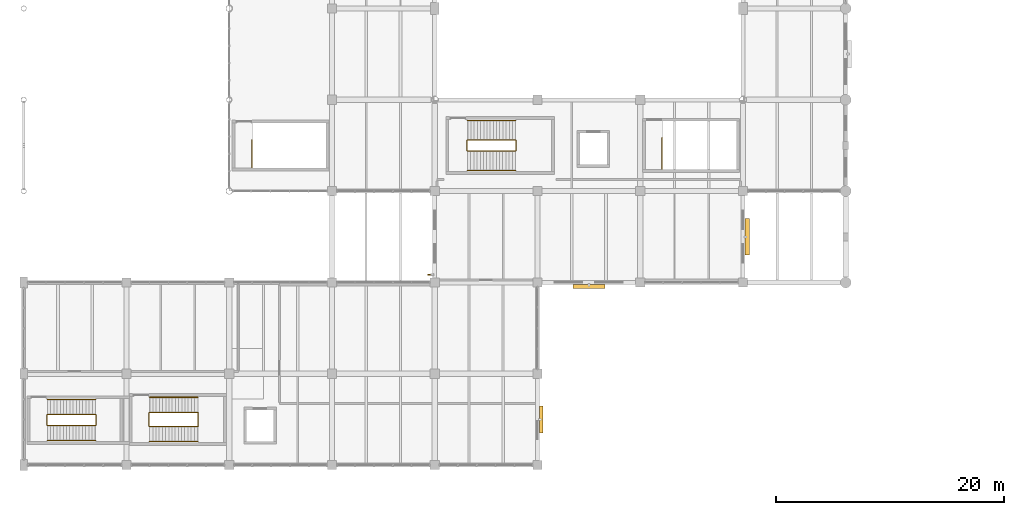
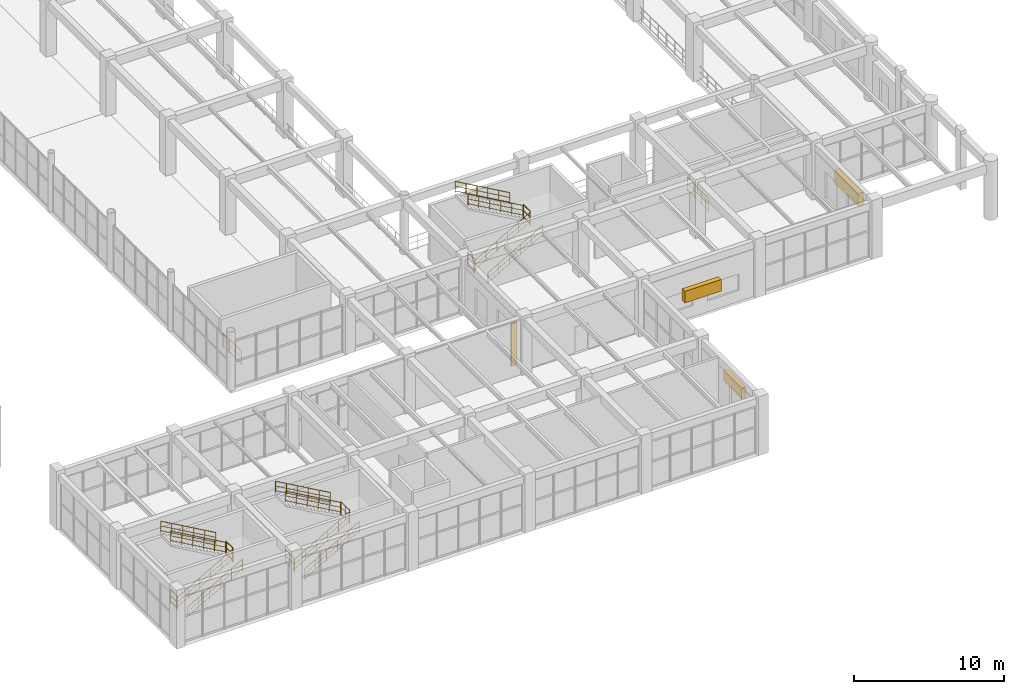
# One storey, part 169 of 178: 20 railings, 4 shading devices.
"""IFC4 building model written with IfcOpenShell, lengths in metres."""

from ifc_helpers import new_model, si_unit, derived_unit, direction, frame, origin, origin_2d, place, context, subcontext, project, spatial, rectangle, circle, extrude, material, type_object, element, save


model = new_model("IFC4")

# Units and contexts
model_context = context("Model", 3, precision=1e-05, world=origin(), true_north=direction((0.0, 1.0)))
body_context = subcontext(model_context, "Body", "Model", "MODEL_VIEW")
ifc_project = project(units=[si_unit("LENGTHUNIT", "METRE"), si_unit("AREAUNIT", "SQUARE_METRE"), si_unit("VOLUMEUNIT", "CUBIC_METRE"), si_unit("PLANEANGLEUNIT", "RADIAN"), si_unit("MASSUNIT", "GRAM", prefix="KILO"), derived_unit("THERMALTRANSMITTANCEUNIT", [(si_unit("MASSUNIT", "GRAM", prefix="KILO"), 1), (si_unit("TIMEUNIT", "SECOND"), -3), (si_unit("THERMODYNAMICTEMPERATUREUNIT", "KELVIN"), -1)])], contexts=[model_context])

# Site, building, storey
site_placement = place(None, origin())
site = spatial("IfcSite", under=ifc_project, at=site_placement, CompositionType="ELEMENT")
building_placement = place(site_placement, origin())
building = spatial("IfcBuilding", under=site, at=building_placement, Name="Zhenchuan Archway Interchange", CompositionType="ELEMENT")
storey_placement = place(building_placement, frame((0.0, 0.0, 5.39990234375)))
storey = spatial("IfcBuildingStorey", under=building, at=storey_placement, Name="L01", CompositionType="ELEMENT", Elevation=5.39990234375)

# Railings
ifc_material_1 = material(Name="Painted Galvanised Steel", Category="steel")
railing_type_1 = type_object("IfcRailingType", Name="RL_GUARD_1150", PredefinedType="GUARDRAIL", material=ifc_material_1)
for number, where, name in (
    (1, (43.135009765625, 27.56494140625, 2.400146484375), "Stair ST-M1 half-landing slot guard (L01)"),
    (2, (38.8349609375, 27.56494140625, 0.0), "Stair ST-M1 floor well guard (L01)"),
):
    element("IfcRailing", number, at=place(storey_placement, frame(where)), inside=storey, type_object=railing_type_1, Name=name, PredefinedType="GUARDRAIL", context=body_context, shape_type="SweptSolid", body=[
        extrude(circle(Radius=0.02392578125, at=origin_2d()), frame((0.0, 0.0, 1.1259765625), z_axis=(0.0, 1.0, 0.0), x_axis=(-1.0, 0.0, 0.0)), (0.0, 0.0, 1.0), 0.8701171875),
        extrude(circle(Radius=0.01611328125, at=origin_2d()), frame((0.0, 0.0, 0.63232421875), z_axis=(0.0, 1.0, 0.0), x_axis=(-1.0, 0.0, 0.0)), (0.0, 0.0, 1.0), 0.8701171875),
        extrude(circle(Radius=0.01611328125, at=origin_2d()), frame((0.0, 0.0, 0.1201171875), z_axis=(0.0, 1.0, 0.0), x_axis=(-1.0, 0.0, 0.0)), (0.0, 0.0, 1.0), 0.8701171875),
        extrude(circle(Radius=0.02099609375, at=origin_2d()), origin(), (0.0, 0.0, 1.0), 1.1259765625),
        extrude(circle(Radius=0.02099609375, at=origin_2d()), frame((0.0, 0.8701171875, 0.0)), (0.0, 0.0, 1.0), 1.1259765625),
    ])
railing_1_placement = place(storey_placement, frame((55.925048828125, 25.9150390625, 0.0)))
element("IfcRailing", 3, at=railing_1_placement, inside=storey, type_object=railing_type_1, Name="Stair ST-M3 top landing guard (L01)", PredefinedType="GUARDRAIL", context=body_context, shape_type="SweptSolid", body=[
    extrude(circle(Radius=0.02392578125, at=origin_2d()), frame((0.0, 0.0, 1.1259765625), z_axis=(0.0, 1.0, 0.0), x_axis=(-1.0, 0.0, 0.0)), (0.0, 0.0, 1.0), 2.77001953125),
    extrude(circle(Radius=0.01611328125, at=origin_2d()), frame((0.0, 0.0, 0.63232421875), z_axis=(0.0, 1.0, 0.0), x_axis=(-1.0, 0.0, 0.0)), (0.0, 0.0, 1.0), 2.77001953125),
    extrude(circle(Radius=0.01611328125, at=origin_2d()), frame((0.0, 0.0, 0.1201171875), z_axis=(0.0, 1.0, 0.0), x_axis=(-1.0, 0.0, 0.0)), (0.0, 0.0, 1.0), 2.77001953125),
    extrude(circle(Radius=0.02099609375, at=origin_2d()), origin(), (0.0, 0.0, 1.0), 1.1259765625),
    extrude(circle(Radius=0.02099609375, at=origin_2d()), frame((0.0, 0.92333984375, 0.0)), (0.0, 0.0, 1.0), 1.1259765625),
    extrude(circle(Radius=0.02099609375, at=origin_2d()), frame((0.0, 1.8466796875, 0.0)), (0.0, 0.0, 1.0), 1.1259765625),
    extrude(circle(Radius=0.02099609375, at=origin_2d()), frame((0.0, 2.77001953125, 0.0)), (0.0, 0.0, 1.0), 1.1259765625),
])
railing_2_placement = place(storey_placement, frame((19.985107421875, 26.06494140625, 0.0)))
element("IfcRailing", 4, at=railing_2_placement, inside=storey, type_object=railing_type_1, Name="Stair ST-B1 top landing guard (L01)", PredefinedType="GUARDRAIL", context=body_context, shape_type="SweptSolid", body=[
    extrude(circle(Radius=0.02392578125, at=origin_2d()), frame((0.0, 0.0, 1.1259765625), z_axis=(0.0, 1.0, 0.0), x_axis=(-1.0, 0.0, 0.0)), (0.0, 0.0, 1.0), 2.420166015625),
    extrude(circle(Radius=0.01611328125, at=origin_2d()), frame((0.0, 0.0, 0.63232421875), z_axis=(0.0, 1.0, 0.0), x_axis=(-1.0, 0.0, 0.0)), (0.0, 0.0, 1.0), 2.420166015625),
    extrude(circle(Radius=0.01611328125, at=origin_2d()), frame((0.0, 0.0, 0.1201171875), z_axis=(0.0, 1.0, 0.0), x_axis=(-1.0, 0.0, 0.0)), (0.0, 0.0, 1.0), 2.420166015625),
    extrude(circle(Radius=0.02099609375, at=origin_2d()), origin(), (0.0, 0.0, 1.0), 1.1259765625),
    extrude(circle(Radius=0.02099609375, at=origin_2d()), frame((0.0, 0.806640625, 0.0)), (0.0, 0.0, 1.0), 1.1259765625),
    extrude(circle(Radius=0.02099609375, at=origin_2d()), frame((0.0, 1.613525390625, 0.0)), (0.0, 0.0, 1.0), 1.1259765625),
    extrude(circle(Radius=0.02099609375, at=origin_2d()), frame((0.0, 2.420166015625, 0.0)), (0.0, 0.0, 1.0), 1.1259765625),
])
for number, where, name in (
    (5, (15.284912109375, 3.4150390625, 2.400146484375), "Stair ST-C1 half-landing slot guard (L01)"),
    (6, (10.985107421875, 3.4150390625, 0.0), "Stair ST-C1 floor well guard (L01)"),
):
    element("IfcRailing", number, at=place(storey_placement, frame(where)), inside=storey, type_object=railing_type_1, Name=name, PredefinedType="GUARDRAIL", context=body_context, shape_type="SweptSolid", body=[
        extrude(circle(Radius=0.02392578125, at=origin_2d()), frame((0.0, 0.0, 1.1259765625), z_axis=(0.0, 1.0, 0.0), x_axis=(-1.0, 0.0, 0.0)), (0.0, 0.0, 1.0), 1.169921875),
        extrude(circle(Radius=0.01611328125, at=origin_2d()), frame((0.0, 0.0, 0.63232421875), z_axis=(0.0, 1.0, 0.0), x_axis=(-1.0, 0.0, 0.0)), (0.0, 0.0, 1.0), 1.169921875),
        extrude(circle(Radius=0.01611328125, at=origin_2d()), frame((0.0, 0.0, 0.1201171875), z_axis=(0.0, 1.0, 0.0), x_axis=(-1.0, 0.0, 0.0)), (0.0, 0.0, 1.0), 1.169921875),
        extrude(circle(Radius=0.02099609375, at=origin_2d()), origin(), (0.0, 0.0, 1.0), 1.1259765625),
        extrude(circle(Radius=0.02099609375, at=origin_2d()), frame((0.0, 0.5849609375, 0.0)), (0.0, 0.0, 1.0), 1.1259765625),
        extrude(circle(Radius=0.02099609375, at=origin_2d()), frame((0.0, 1.169921875, 0.0)), (0.0, 0.0, 1.0), 1.1259765625),
    ])
for number, where, name in (
    (7, (6.324951171875, 3.514892578125, 2.400146484375), "Stair ST-C2 half-landing slot guard (L01)"),
    (8, (2.02490234375, 3.514892578125, 0.0), "Stair ST-C2 floor well guard (L01)"),
):
    element("IfcRailing", number, at=place(storey_placement, frame(where)), inside=storey, type_object=railing_type_1, Name=name, PredefinedType="GUARDRAIL", context=body_context, shape_type="SweptSolid", body=[
        extrude(circle(Radius=0.02392578125, at=origin_2d()), frame((0.0, 0.0, 1.1259765625), z_axis=(0.0, 1.0, 0.0), x_axis=(-1.0, 0.0, 0.0)), (0.0, 0.0, 1.0), 0.8701171875),
        extrude(circle(Radius=0.01611328125, at=origin_2d()), frame((0.0, 0.0, 0.63232421875), z_axis=(0.0, 1.0, 0.0), x_axis=(-1.0, 0.0, 0.0)), (0.0, 0.0, 1.0), 0.8701171875),
        extrude(circle(Radius=0.01611328125, at=origin_2d()), frame((0.0, 0.0, 0.1201171875), z_axis=(0.0, 1.0, 0.0), x_axis=(-1.0, 0.0, 0.0)), (0.0, 0.0, 1.0), 0.8701171875),
        extrude(circle(Radius=0.02099609375, at=origin_2d()), origin(), (0.0, 0.0, 1.0), 1.1259765625),
        extrude(circle(Radius=0.02099609375, at=origin_2d()), frame((0.0, 0.8701171875, 0.0)), (0.0, 0.0, 1.0), 1.1259765625),
    ])
ifc_material_2 = material(Name="Stainless Steel 304", Category="steel")
railing_type_2 = type_object("IfcRailingType", Name="RL_HAND_920", PredefinedType="HANDRAIL", material=ifc_material_2)
for number, where, name in (
    (9, (38.875, 25.804931640625, 0.150146484375), "Stair ST-M1 handrail 1 (L01)"),
    (10, (38.875, 27.52490234375, 0.150146484375), "Stair ST-M1 handrail 2 (L01)"),
):
    element("IfcRailing", number, at=place(storey_placement, frame(where)), inside=storey, type_object=railing_type_2, Name=name, PredefinedType="HANDRAIL", context=body_context, shape_type="SweptSolid", body=[
        extrude(circle(Radius=0.02392578125, at=origin_2d()), frame((0.0, 0.0, 0.89599609375), z_axis=(0.869262576428, 0.0, 0.494350658159), x_axis=(0.0, 1.0, 0.0)), (0.0, 0.0, 1.0), 4.854736328125),
        extrude(circle(Radius=0.01611328125, at=origin_2d()), frame((0.0, 0.0, 0.505859375), z_axis=(0.869262576428, 0.0, 0.494350658159), x_axis=(0.0, 1.0, 0.0)), (0.0, 0.0, 1.0), 4.854736328125),
        extrude(circle(Radius=0.01611328125, at=origin_2d()), frame((0.0, 0.0, 0.1201171875), z_axis=(0.869262576428, 0.0, 0.494350658159), x_axis=(0.0, 1.0, 0.0)), (0.0, 0.0, 1.0), 4.854736328125),
        extrude(circle(Radius=0.02099609375, at=origin_2d()), origin(), (0.0, 0.0, 1.0), 0.89599609375),
        extrude(circle(Radius=0.02099609375, at=origin_2d()), frame((0.843994140625, 0.0, 0.47998046875)), (0.0, 0.0, 1.0), 0.89599609375),
        extrude(circle(Radius=0.02099609375, at=origin_2d()), frame((1.68798828125, 0.0, 0.9599609375)), (0.0, 0.0, 1.0), 0.89599609375),
        extrude(circle(Radius=0.02099609375, at=origin_2d()), frame((2.531982421875, 0.0, 1.43994140625)), (0.0, 0.0, 1.0), 0.89599609375),
        extrude(circle(Radius=0.02099609375, at=origin_2d()), frame((3.3759765625, 0.0, 1.919921875)), (0.0, 0.0, 1.0), 0.89599609375),
        extrude(circle(Radius=0.02099609375, at=origin_2d()), frame((4.219970703125, 0.0, 2.39990234375)), (0.0, 0.0, 1.0), 0.89599609375),
    ])
for number, where, name in (
    (11, (43.094970703125, 28.47509765625, 2.550048828125), "Stair ST-M1 handrail 3 (L01)"),
    (12, (43.094970703125, 30.195068359375, 2.550048828125), "Stair ST-M1 handrail 4 (L01)"),
):
    element("IfcRailing", number, at=place(storey_placement, frame(where)), inside=storey, type_object=railing_type_2, Name=name, PredefinedType="HANDRAIL", context=body_context, shape_type="SweptSolid", body=[
        extrude(circle(Radius=0.02392578125, at=origin_2d()), frame((0.0, 0.0, 0.89599609375), z_axis=(-0.869240965491, 0.0, 0.494388656739), x_axis=(0.0, -1.0, 0.0)), (0.0, 0.0, 1.0), 4.854736328125),
        extrude(circle(Radius=0.01611328125, at=origin_2d()), frame((0.0, 0.0, 0.505859375), z_axis=(-0.869240965491, 0.0, 0.494388656739), x_axis=(0.0, -1.0, 0.0)), (0.0, 0.0, 1.0), 4.854736328125),
        extrude(circle(Radius=0.01611328125, at=origin_2d()), frame((0.0, 0.0, 0.1201171875), z_axis=(-0.869240965491, 0.0, 0.494388656739), x_axis=(0.0, -1.0, 0.0)), (0.0, 0.0, 1.0), 4.854736328125),
        extrude(circle(Radius=0.02099609375, at=origin_2d()), origin(), (0.0, 0.0, 1.0), 0.89599609375),
        extrude(circle(Radius=0.02099609375, at=origin_2d()), frame((-0.843994140625, 0.0, 0.47998046875)), (0.0, 0.0, 1.0), 0.89599609375),
        extrude(circle(Radius=0.02099609375, at=origin_2d()), frame((-1.68798828125, 0.0, 0.9599609375)), (0.0, 0.0, 1.0), 0.89599609375),
        extrude(circle(Radius=0.02099609375, at=origin_2d()), frame((-2.531982421875, 0.0, 1.440185546875)), (0.0, 0.0, 1.0), 0.89599609375),
        extrude(circle(Radius=0.02099609375, at=origin_2d()), frame((-3.3759765625, 0.0, 1.920166015625)), (0.0, 0.0, 1.0), 0.89599609375),
        extrude(circle(Radius=0.02099609375, at=origin_2d()), frame((-4.219970703125, 0.0, 2.400146484375)), (0.0, 0.0, 1.0), 0.89599609375),
    ])
for number, where, name in (
    (13, (11.02490234375, 2.054931640625, 0.150146484375), "Stair ST-C1 handrail 1 (L01)"),
    (14, (11.02490234375, 3.375, 0.150146484375), "Stair ST-C1 handrail 2 (L01)"),
):
    element("IfcRailing", number, at=place(storey_placement, frame(where)), inside=storey, type_object=railing_type_2, Name=name, PredefinedType="HANDRAIL", context=body_context, shape_type="SweptSolid", body=[
        extrude(circle(Radius=0.02392578125, at=origin_2d()), frame((0.0, 0.0, 0.89599609375), z_axis=(0.86927486562, 0.0, 0.494329048308), x_axis=(0.0, 1.0, 0.0)), (0.0, 0.0, 1.0), 4.85498046875),
        extrude(circle(Radius=0.01611328125, at=origin_2d()), frame((0.0, 0.0, 0.505859375), z_axis=(0.86927486562, 0.0, 0.494329048308), x_axis=(0.0, 1.0, 0.0)), (0.0, 0.0, 1.0), 4.85498046875),
        extrude(circle(Radius=0.01611328125, at=origin_2d()), frame((0.0, 0.0, 0.1201171875), z_axis=(0.86927486562, 0.0, 0.494329048308), x_axis=(0.0, 1.0, 0.0)), (0.0, 0.0, 1.0), 4.85498046875),
        extrude(circle(Radius=0.02099609375, at=origin_2d()), origin(), (0.0, 0.0, 1.0), 0.89599609375),
        extrude(circle(Radius=0.02099609375, at=origin_2d()), frame((0.843994140625, 0.0, 0.47998046875)), (0.0, 0.0, 1.0), 0.89599609375),
        extrude(circle(Radius=0.02099609375, at=origin_2d()), frame((1.68798828125, 0.0, 0.9599609375)), (0.0, 0.0, 1.0), 0.89599609375),
        extrude(circle(Radius=0.02099609375, at=origin_2d()), frame((2.5322265625, 0.0, 1.43994140625)), (0.0, 0.0, 1.0), 0.89599609375),
        extrude(circle(Radius=0.02099609375, at=origin_2d()), frame((3.376220703125, 0.0, 1.919921875)), (0.0, 0.0, 1.0), 0.89599609375),
        extrude(circle(Radius=0.02099609375, at=origin_2d()), frame((4.22021484375, 0.0, 2.39990234375)), (0.0, 0.0, 1.0), 0.89599609375),
    ])
for number, where, name in (
    (15, (15.2451171875, 4.625, 2.550048828125), "Stair ST-C1 handrail 3 (L01)"),
    (16, (15.2451171875, 5.945068359375, 2.550048828125), "Stair ST-C1 handrail 4 (L01)"),
):
    element("IfcRailing", number, at=place(storey_placement, frame(where)), inside=storey, type_object=railing_type_2, Name=name, PredefinedType="HANDRAIL", context=body_context, shape_type="SweptSolid", body=[
        extrude(circle(Radius=0.02392578125, at=origin_2d()), frame((0.0, 0.0, 0.89599609375), z_axis=(-0.869253256267, 0.0, 0.494367046301), x_axis=(0.0, -1.0, 0.0)), (0.0, 0.0, 1.0), 4.85498046875),
        extrude(circle(Radius=0.01611328125, at=origin_2d()), frame((0.0, 0.0, 0.505859375), z_axis=(-0.869253256267, 0.0, 0.494367046301), x_axis=(0.0, -1.0, 0.0)), (0.0, 0.0, 1.0), 4.85498046875),
        extrude(circle(Radius=0.01611328125, at=origin_2d()), frame((0.0, 0.0, 0.1201171875), z_axis=(-0.869253256267, 0.0, 0.494367046301), x_axis=(0.0, -1.0, 0.0)), (0.0, 0.0, 1.0), 4.85498046875),
        extrude(circle(Radius=0.02099609375, at=origin_2d()), origin(), (0.0, 0.0, 1.0), 0.89599609375),
        extrude(circle(Radius=0.02099609375, at=origin_2d()), frame((-0.843994140625, 0.0, 0.47998046875)), (0.0, 0.0, 1.0), 0.89599609375),
        extrude(circle(Radius=0.02099609375, at=origin_2d()), frame((-1.68798828125, 0.0, 0.9599609375)), (0.0, 0.0, 1.0), 0.89599609375),
        extrude(circle(Radius=0.02099609375, at=origin_2d()), frame((-2.5322265625, 0.0, 1.440185546875)), (0.0, 0.0, 1.0), 0.89599609375),
        extrude(circle(Radius=0.02099609375, at=origin_2d()), frame((-3.376220703125, 0.0, 1.920166015625)), (0.0, 0.0, 1.0), 0.89599609375),
        extrude(circle(Radius=0.02099609375, at=origin_2d()), frame((-4.22021484375, 0.0, 2.400146484375)), (0.0, 0.0, 1.0), 0.89599609375),
    ])
for number, where, name in (
    (17, (2.06494140625, 2.155029296875, 0.150146484375), "Stair ST-C2 handrail 1 (L01)"),
    (18, (2.06494140625, 3.47509765625, 0.150146484375), "Stair ST-C2 handrail 2 (L01)"),
):
    element("IfcRailing", number, at=place(storey_placement, frame(where)), inside=storey, type_object=railing_type_2, Name=name, PredefinedType="HANDRAIL", context=body_context, shape_type="SweptSolid", body=[
        extrude(circle(Radius=0.02392578125, at=origin_2d()), frame((0.0, 0.0, 0.89599609375), z_axis=(0.869262576428, 0.0, 0.494350658159), x_axis=(0.0, 1.0, 0.0)), (0.0, 0.0, 1.0), 4.854736328125),
        extrude(circle(Radius=0.01611328125, at=origin_2d()), frame((0.0, 0.0, 0.505859375), z_axis=(0.869262576428, 0.0, 0.494350658159), x_axis=(0.0, 1.0, 0.0)), (0.0, 0.0, 1.0), 4.854736328125),
        extrude(circle(Radius=0.01611328125, at=origin_2d()), frame((0.0, 0.0, 0.1201171875), z_axis=(0.869262576428, 0.0, 0.494350658159), x_axis=(0.0, 1.0, 0.0)), (0.0, 0.0, 1.0), 4.854736328125),
        extrude(circle(Radius=0.02099609375, at=origin_2d()), origin(), (0.0, 0.0, 1.0), 0.89599609375),
        extrude(circle(Radius=0.02099609375, at=origin_2d()), frame((0.843994140625, 0.0, 0.47998046875)), (0.0, 0.0, 1.0), 0.89599609375),
        extrude(circle(Radius=0.02099609375, at=origin_2d()), frame((1.68798828125, 0.0, 0.9599609375)), (0.0, 0.0, 1.0), 0.89599609375),
        extrude(circle(Radius=0.02099609375, at=origin_2d()), frame((2.531982421875, 0.0, 1.43994140625)), (0.0, 0.0, 1.0), 0.89599609375),
        extrude(circle(Radius=0.02099609375, at=origin_2d()), frame((3.3759765625, 0.0, 1.919921875)), (0.0, 0.0, 1.0), 0.89599609375),
        extrude(circle(Radius=0.02099609375, at=origin_2d()), frame((4.219970703125, 0.0, 2.39990234375)), (0.0, 0.0, 1.0), 0.89599609375),
    ])
for number, where, name in (
    (19, (6.284912109375, 4.425048828125, 2.550048828125), "Stair ST-C2 handrail 3 (L01)"),
    (20, (6.284912109375, 5.7451171875, 2.550048828125), "Stair ST-C2 handrail 4 (L01)"),
):
    element("IfcRailing", number, at=place(storey_placement, frame(where)), inside=storey, type_object=railing_type_2, Name=name, PredefinedType="HANDRAIL", context=body_context, shape_type="SweptSolid", body=[
        extrude(circle(Radius=0.02392578125, at=origin_2d()), frame((0.0, 0.0, 0.89599609375), z_axis=(-0.869240965491, 0.0, 0.494388656739), x_axis=(0.0, -1.0, 0.0)), (0.0, 0.0, 1.0), 4.854736328125),
        extrude(circle(Radius=0.01611328125, at=origin_2d()), frame((0.0, 0.0, 0.505859375), z_axis=(-0.869240965491, 0.0, 0.494388656739), x_axis=(0.0, -1.0, 0.0)), (0.0, 0.0, 1.0), 4.854736328125),
        extrude(circle(Radius=0.01611328125, at=origin_2d()), frame((0.0, 0.0, 0.1201171875), z_axis=(-0.869240965491, 0.0, 0.494388656739), x_axis=(0.0, -1.0, 0.0)), (0.0, 0.0, 1.0), 4.854736328125),
        extrude(circle(Radius=0.02099609375, at=origin_2d()), origin(), (0.0, 0.0, 1.0), 0.89599609375),
        extrude(circle(Radius=0.02099609375, at=origin_2d()), frame((-0.843994140625, 0.0, 0.47998046875)), (0.0, 0.0, 1.0), 0.89599609375),
        extrude(circle(Radius=0.02099609375, at=origin_2d()), frame((-1.68798828125, 0.0, 0.9599609375)), (0.0, 0.0, 1.0), 0.89599609375),
        extrude(circle(Radius=0.02099609375, at=origin_2d()), frame((-2.531982421875, 0.0, 1.440185546875)), (0.0, 0.0, 1.0), 0.89599609375),
        extrude(circle(Radius=0.02099609375, at=origin_2d()), frame((-3.3759765625, 0.0, 1.920166015625)), (0.0, 0.0, 1.0), 0.89599609375),
        extrude(circle(Radius=0.02099609375, at=origin_2d()), frame((-4.219970703125, 0.0, 2.400146484375)), (0.0, 0.0, 1.0), 0.89599609375),
    ])

# Shading devices
ifc_material_3 = material(Name="Terracotta Ceramic", Category="masonry")
shading_device_type_1 = type_object("IfcShadingDeviceType", Name="SHD_FIN_3", PredefinedType="USERDEFINED", material=ifc_material_3)
shading_device_1_placement = place(storey_placement, frame((35.60595703125, 16.677978515625, 0.2001953125), z_axis=(0.0, 0.0, 1.0), x_axis=(0.0, 1.0, 0.0)))
element("IfcShadingDevice", 21, at=shading_device_1_placement, inside=storey, type_object=shading_device_type_1, Name="Terracotta vertical solar fin L01-056", ObjectType="FINS", PredefinedType="USERDEFINED", context=body_context, shape_type="SweptSolid", body=[
    extrude(rectangle(XDim=0.10009765625, YDim=0.4599609375, at=origin_2d()), origin(), (0.0, 0.0, 1.0), 3.4599609375),
])
ifc_material_4 = material(Name="Anodised Aluminium", Category="aluminium")
shading_device_type_2 = type_object("IfcShadingDeviceType", Name="SHD_LOUVRE_1", PredefinedType="JALOUSIE", material=ifc_material_4)
shading_device_2_placement = place(storey_placement, frame((49.5, 15.64599609375, 1.625), z_axis=(0.0, 0.0, 1.0), x_axis=(-1.0, 0.0, 0.0)))
element("IfcShadingDevice", 22, at=shading_device_2_placement, inside=storey, type_object=shading_device_type_2, Name="Monsoon storm-louvre jalousie L01-054", PredefinedType="JALOUSIE", context=body_context, shape_type="SweptSolid", body=[
    extrude(rectangle(XDim=2.800048828125, YDim=0.3798828125, at=origin_2d()), origin(), (0.0, 0.0, 1.0), 0.949951171875),
])
shading_device_type_3 = type_object("IfcShadingDeviceType", Name="SHD_LOUVRE_2", PredefinedType="JALOUSIE", material=ifc_material_4)
shading_device_3_placement = place(storey_placement, frame((45.333984375, 4.0, 2.525146484375), z_axis=(0.0, 0.0, 1.0), x_axis=(0.0, -1.0, 0.0)))
element("IfcShadingDevice", 23, at=shading_device_3_placement, inside=storey, type_object=shading_device_type_3, Name="Monsoon storm-louvre jalousie L01-055", PredefinedType="JALOUSIE", context=body_context, shape_type="SweptSolid", body=[
    extrude(rectangle(XDim=2.39990234375, YDim=0.340087890625, at=origin_2d()), origin(), (0.0, 0.0, 1.0), 0.85009765625),
])
shading_device_type_4 = type_object("IfcShadingDeviceType", Name="SHD_LOUVRE_3", PredefinedType="JALOUSIE", material=ifc_material_4)
shading_device_4_placement = place(storey_placement, frame((63.364013671875, 20.0, 2.42529296875), z_axis=(0.0, 0.0, 1.0), x_axis=(0.0, -1.0, 0.0)))
element("IfcShadingDevice", 24, at=shading_device_4_placement, inside=storey, type_object=shading_device_type_4, Name="Monsoon storm-louvre jalousie L01-053", PredefinedType="JALOUSIE", context=body_context, shape_type="SweptSolid", body=[
    extrude(rectangle(XDim=3.199951171875, YDim=0.39990234375, at=origin_2d()), origin(), (0.0, 0.0, 1.0), 1.050048828125),
])

save(model, "model.ifc")
